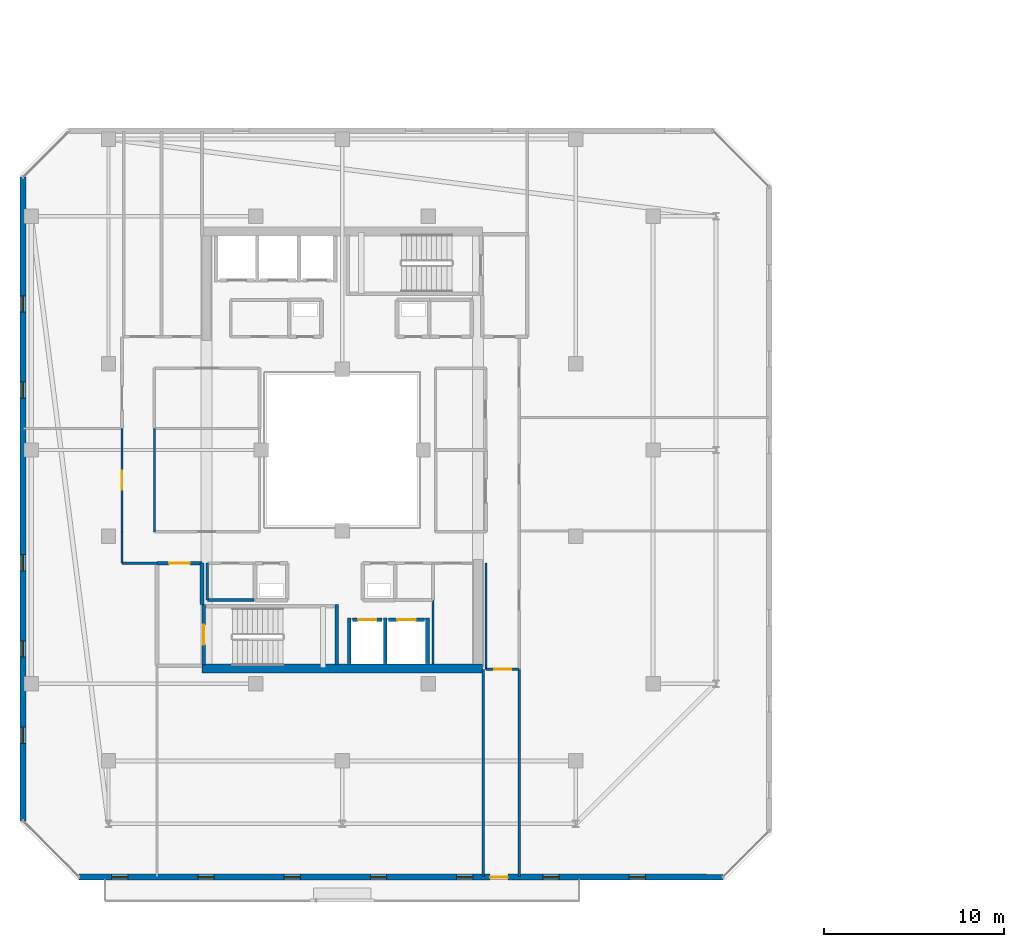
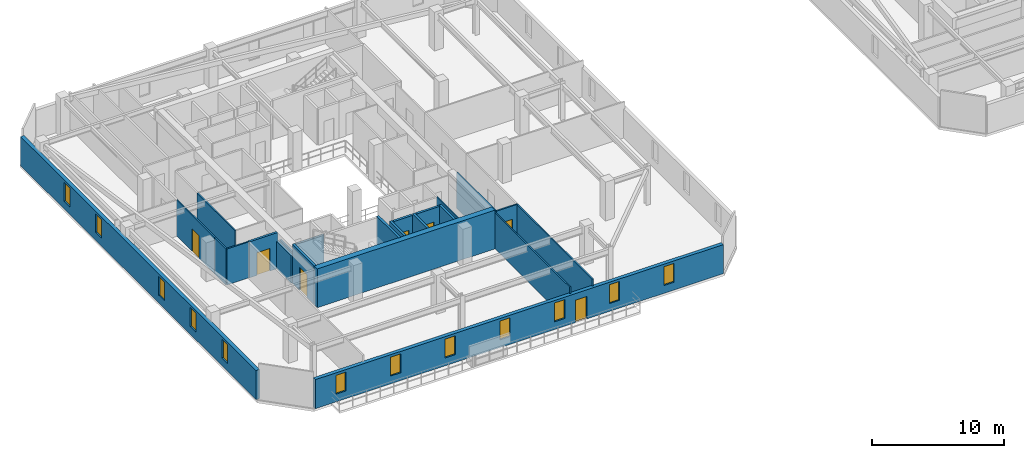
# One storey, part 21 of 35: 23 walls, 12 windows, 7 doors, 19 openings.
"""IFC4 building model written with IfcOpenShell, lengths in metres."""

from ifc_helpers import new_model, si_unit, direction, frame, frame_2d, origin, place, context, subcontext, project, spatial, rectangle, extrude, material, layer, layer_set, type_object, element, fill, save


model = new_model("IFC4")

# Units and contexts
model_context = context("Model", 3, precision=1e-05, world=origin(), true_north=direction((0.0, 1.0)))
body_context = subcontext(model_context, "Body", "Model", "MODEL_VIEW")
ifc_project = project(units=[si_unit("LENGTHUNIT", "METRE"), si_unit("AREAUNIT", "SQUARE_METRE"), si_unit("VOLUMEUNIT", "CUBIC_METRE"), si_unit("PLANEANGLEUNIT", "RADIAN"), si_unit("MASSUNIT", "GRAM", prefix="KILO")], contexts=[model_context])

# Site, building, storey
site_placement = place(None, origin())
site = spatial("IfcSite", under=ifc_project, at=site_placement, CompositionType="ELEMENT")
building_placement = place(site_placement, origin())
building = spatial("IfcBuilding", under=site, at=building_placement, Name="Thornwick Lancets Civic Towers", CompositionType="ELEMENT")
storey_placement = place(building_placement, frame((0.0, 0.0, 269.10009765625)))
storey = spatial("IfcBuildingStorey", under=building, at=storey_placement, Name="L72", CompositionType="ELEMENT", Elevation=269.10009765625)

# Wall, opening, door
ifc_material_1 = material(Name="Concrete blockwork C40/50", Category="masonry")
ifc_layer_1 = layer(ifc_material_1, 0.199951171875, Name="Concrete blockwork C40/50")
ifc_layer_set_1 = layer_set([ifc_layer_1], Name="Concrete blockwork C40/50")
wall_type_1 = type_object("IfcWallType", Name="WALL_COMP_200", PredefinedType="STANDARD", material=ifc_layer_set_1)
wall_1_placement = place(storey_placement, frame((26.080078125, 17.550048828125, 0.0), z_axis=(0.0, 0.0, 1.0), x_axis=(1.0, 0.0, 0.0)))
wall_1 = element("IfcWall", 1, at=wall_1_placement, inside=storey, type_object=wall_type_1, Name="L72 Hoistway Front Wall FL-A1", PredefinedType="STANDARD", context=body_context, shape_type="SweptSolid", body=[
    extrude(rectangle(XDim=1.639892578125, YDim=0.199951171875, at=frame_2d((0.81982421875, 0.0))), origin(), (0.0, 0.0, 1.0), 3.33984375),
])
opening_1_placement = place(wall_1_placement, frame((0.31005859375, 0.0, 0.0)))
opening_1 = element("IfcOpeningElement", 2, at=opening_1_placement, cuts=wall_1, Name="Opening LD-FL-A1", PredefinedType="OPENING", context=body_context, shape_type="SweptSolid", body=[
    extrude(rectangle(XDim=1.02001953125, YDim=2.06005859375, at=frame_2d((0.510009765625, 1.030029296875))), frame((0.0, 0.10986328125, 0.0), z_axis=(0.0, -1.0, 0.0), x_axis=(1.0, 0.0, 0.0)), (0.0, 0.0, 1.0), 0.219970703125),
])
ifc_material_2 = material(Name="Brushed bronze stainless steel", Category="steel")
door_type_1 = type_object("IfcDoorType", Name="DOOR_LIFT_SLIDE", OperationType="SLIDING_TO_LEFT", PredefinedType="DOOR", material=ifc_material_2)
door_1_placement = place(opening_1_placement, origin())
door_1 = element("IfcDoor", 3, at=door_1_placement, inside=storey, type_object=door_type_1, Name="L72 Sliding Lift Landing Door LD-FL-A1", OperationType="SLIDING_TO_LEFT", OverallHeight=2.06005859375, OverallWidth=1.02001953125, PredefinedType="DOOR", context=body_context, shape_type="SweptSolid", body=[
    extrude(rectangle(XDim=1.02001953125, YDim=2.06005859375, at=frame_2d((0.510009765625, 1.030029296875))), frame((0.0, 0.02490234375, 0.0), z_axis=(0.0, -1.0, 0.0), x_axis=(1.0, 0.0, 0.0)), (0.0, 0.0, 1.0), 0.050048828125),
])
fill(opening_1, door_1)

wall_2_placement = place(storey_placement, frame((28.080078125, 17.550048828125, 0.0), z_axis=(0.0, 0.0, 1.0), x_axis=(1.0, 0.0, 0.0)))
wall_2 = element("IfcWall", 4, at=wall_2_placement, inside=storey, type_object=wall_type_1, Name="L72 Hoistway Front Wall PL-AH1", PredefinedType="STANDARD", context=body_context, shape_type="SweptSolid", body=[
    extrude(rectangle(XDim=1.989990234375, YDim=0.199951171875, at=frame_2d((0.9951171875, 0.0))), origin(), (0.0, 0.0, 1.0), 3.33984375),
])
opening_2_placement = place(wall_2_placement, frame((0.485107421875, 0.0, 0.0)))
opening_2 = element("IfcOpeningElement", 5, at=opening_2_placement, cuts=wall_2, Name="Opening LD-PL-AH1", PredefinedType="OPENING", context=body_context, shape_type="SweptSolid", body=[
    extrude(rectangle(XDim=1.02001953125, YDim=2.06005859375, at=frame_2d((0.510009765625, 1.030029296875))), frame((0.0, 0.10986328125, 0.0), z_axis=(0.0, -1.0, 0.0), x_axis=(1.0, 0.0, 0.0)), (0.0, 0.0, 1.0), 0.219970703125),
])
door_2_placement = place(opening_2_placement, origin())
door_2 = element("IfcDoor", 6, at=door_2_placement, inside=storey, type_object=door_type_1, Name="L72 Sliding Lift Landing Door LD-PL-AH1", OperationType="SLIDING_TO_LEFT", OverallHeight=2.06005859375, OverallWidth=1.02001953125, PredefinedType="DOOR", context=body_context, shape_type="SweptSolid", body=[
    extrude(rectangle(XDim=1.02001953125, YDim=2.06005859375, at=frame_2d((0.510009765625, 1.030029296875))), frame((0.0, 0.02490234375, 0.0), z_axis=(0.0, -1.0, 0.0), x_axis=(1.0, 0.0, 0.0)), (0.0, 0.0, 1.0), 0.050048828125),
])
fill(opening_2, door_2)

# Walls
for number, where, z_axis, x_axis, name in (
    (7, (27.89990234375, 15.112060546875, 0.0), (0.0, 0.0, 1.0), (0.0, 1.0, 0.0), "L72 Hoistway Shaft Wall FL-A1 E"),
    (8, (25.89990234375, 15.112060546875, 0.0), (0.0, 0.0, 1.0), (0.0, 1.0, 0.0), "L72 Hoistway Shaft Wall FL-A1 W"),
    (9, (30.25, 15.112060546875, 0.0), (0.0, 0.0, 1.0), (0.0, 1.0, 0.0), "L72 Hoistway Shaft Wall PL-AH1 E"),
):
    element("IfcWall", number, at=place(storey_placement, frame(where, z_axis=z_axis, x_axis=x_axis)), inside=storey, type_object=wall_type_1, Name=name, PredefinedType="STANDARD", context=body_context, shape_type="SweptSolid", body=[
        extrude(rectangle(XDim=2.535888671875, YDim=0.199951171875, at=frame_2d((1.26806640625, 0.0))), origin(), (0.0, 0.0, 1.0), 3.33984375),
    ])
wall_3_placement = place(storey_placement, frame((17.699951171875, 18.39990234375, 0.0), z_axis=(0.0, 0.0, 1.0), x_axis=(0.0, 1.0, 0.0)))
element("IfcWall", 10, at=wall_3_placement, inside=storey, type_object=wall_type_1, Name="L72 Partition L72-A-FFLOB1 E2", PredefinedType="STANDARD", context=body_context, shape_type="SweptSolid", body=[
    extrude(rectangle(XDim=2.300048828125, YDim=0.199951171875, at=frame_2d((1.14990234375, 0.0))), origin(), (0.0, 0.0, 1.0), 2.544921875),
])

# Wall, opening, door
wall_4_placement = place(storey_placement, frame((17.699951171875, 20.699951171875, 0.0), z_axis=(0.0, 0.0, 1.0), x_axis=(-1.0, 0.0, 0.0)))
wall_4 = element("IfcWall", 11, at=wall_4_placement, inside=storey, type_object=wall_type_1, Name="L72 Partition L72-A-FFLOB1 E3", PredefinedType="STANDARD", context=body_context, shape_type="SweptSolid", body=[
    extrude(rectangle(XDim=2.5, YDim=0.199951171875, at=frame_2d((1.25, 0.0))), origin(), (0.0, 0.0, 1.0), 3.33984375),
])
opening_3_placement = place(wall_4_placement, frame((0.675048828125, 0.0, 0.0)))
opening_3 = element("IfcOpeningElement", 12, at=opening_3_placement, cuts=wall_4, Name="Opening D-L72-3277", PredefinedType="OPENING", context=body_context, shape_type="SweptSolid", body=[
    extrude(rectangle(XDim=1.14990234375, YDim=2.10009765625, at=frame_2d((0.574951171875, 1.050048828125))), frame((0.0, 0.10986328125, 0.0), z_axis=(0.0, -1.0, 0.0), x_axis=(1.0, 0.0, 0.0)), (0.0, 0.0, 1.0), 0.219970703125),
])
ifc_material_3 = material(Name="Glazed fire-resisting steel", Category="steel")
door_type_2 = type_object("IfcDoorType", Name="DOOR_LOBBY_FD60", OperationType="NOTDEFINED", PredefinedType="DOOR", material=ifc_material_3)
door_3_placement = place(opening_3_placement, origin())
door_3 = element("IfcDoor", 13, at=door_3_placement, inside=storey, type_object=door_type_2, Name="L72 South Firefighting Lobby 1 Door", OperationType="SINGLE_SWING_RIGHT", OverallHeight=2.10009765625, OverallWidth=1.14990234375, PredefinedType="DOOR", context=body_context, shape_type="SweptSolid", body=[
    extrude(rectangle(XDim=1.14990234375, YDim=2.10009765625, at=frame_2d((0.574951171875, 1.050048828125))), frame((0.0, 0.02490234375, 0.0), z_axis=(0.0, -1.0, 0.0), x_axis=(1.0, 0.0, 0.0)), (0.0, 0.0, 1.0), 0.050048828125),
])
fill(opening_3, door_3)

# Wall
ifc_material_4 = material(Name="Concrete C50/60", Category="concrete")
ifc_layer_2 = layer(ifc_material_4, 0.5, Name="Concrete C50/60")
ifc_layer_set_2 = layer_set([ifc_layer_2], Name="Concrete C50/60")
wall_type_2 = type_object("IfcWallType", Name="WALL_CORE_500", PredefinedType="SHEAR", material=ifc_layer_set_2)
wall_5_placement = place(storey_placement, frame((17.699951171875, 14.85009765625, 0.0), z_axis=(0.0, 0.0, 1.0), x_axis=(1.0, 0.0, 0.0)))
element("IfcWall", 14, at=wall_5_placement, inside=storey, type_object=wall_type_2, Name="L72 Split Core A1 Shear Wall S", PredefinedType="SHEAR", context=body_context, shape_type="SweptSolid", body=[
    extrude(rectangle(XDim=15.60009765625, YDim=0.5, at=frame_2d((7.800048828125, 0.0))), origin(), (0.0, 0.0, 1.0), 3.599853515625),
])

# Wall, openings, door, windows
ifc_material_5 = material(Name="Insulated buff terracotta rainscreen on concrete C40/50", Category="masonry")
ifc_layer_3 = layer(ifc_material_5, 0.320068359375, Name="Insulated buff terracotta rainscreen on concrete C40/50")
ifc_layer_set_3 = layer_set([ifc_layer_3], Name="Insulated buff terracotta rainscreen on concrete C40/50")
wall_type_3 = type_object("IfcWallType", Name="WALL_EXT_TERRA_320", PredefinedType="STANDARD", material=ifc_layer_set_3)
wall_6_placement = place(storey_placement, frame((10.87060546875, 3.2373046875, 0.0), z_axis=(0.0, 0.0, 1.0), x_axis=(0.999999998513, -5.4540124e-05, 0.0)))
wall_6 = element("IfcWall", 15, at=wall_6_placement, inside=storey, type_object=wall_type_3, Name="L72 Tower A Terracotta Facade Wall E0", PredefinedType="STANDARD", context=body_context, shape_type="SweptSolid", body=[
    extrude(rectangle(XDim=35.810791015625, YDim=0.320068359375, at=frame_2d((17.9052734375, 0.0))), origin(), (0.0, 0.0, 1.0), 2.699951171875),
])
opening_4_placement = place(wall_6_placement, frame((22.85546875, 0.0, 0.0)))
opening_4 = element("IfcOpeningElement", 16, at=opening_4_placement, cuts=wall_6, Name="Opening D-BL-L72-AS", PredefinedType="OPENING", context=body_context, shape_type="SweptSolid", body=[
    extrude(rectangle(XDim=1.0, YDim=2.080078125, at=frame_2d((0.5, 1.0400390625))), frame((0.0, 0.169921875, 0.0), z_axis=(0.0, -1.0, 0.0), x_axis=(1.0, 0.0, 0.0)), (0.0, 0.0, 1.0), 0.340087890625),
])
opening_5_placement = place(wall_6_placement, frame((1.800048828125, 0.0, 0.719970703125)))
opening_5 = element("IfcOpeningElement", 17, at=opening_5_placement, cuts=wall_6, Name="Opening WL-01", PredefinedType="OPENING", context=body_context, shape_type="SweptSolid", body=[
    extrude(rectangle(XDim=0.89990234375, YDim=1.75, at=frame_2d((0.449951171875, 0.875))), frame((0.0, 0.169921875, 0.0), z_axis=(0.0, -1.0, 0.0), x_axis=(1.0, 0.0, 0.0)), (0.0, 0.0, 1.0), 0.340087890625),
])
opening_6_placement = place(wall_6_placement, frame((6.60009765625, 0.0, 0.719970703125)))
opening_6 = element("IfcOpeningElement", 18, at=opening_6_placement, cuts=wall_6, Name="Opening WL-01", PredefinedType="OPENING", context=body_context, shape_type="SweptSolid", body=[
    extrude(rectangle(XDim=0.89990234375, YDim=1.75, at=frame_2d((0.449951171875, 0.875))), frame((0.0, 0.169921875, 0.0), z_axis=(0.0, -1.0, 0.0), x_axis=(1.0, 0.0, 0.0)), (0.0, 0.0, 1.0), 0.340087890625),
])
opening_7_placement = place(wall_6_placement, frame((11.39990234375, 0.0, 0.719970703125)))
opening_7 = element("IfcOpeningElement", 19, at=opening_7_placement, cuts=wall_6, Name="Opening WL-01", PredefinedType="OPENING", context=body_context, shape_type="SweptSolid", body=[
    extrude(rectangle(XDim=0.89990234375, YDim=1.75, at=frame_2d((0.449951171875, 0.875))), frame((0.0, 0.169921875, 0.0), z_axis=(0.0, -1.0, 0.0), x_axis=(1.0, 0.0, 0.0)), (0.0, 0.0, 1.0), 0.340087890625),
])
opening_8_placement = place(wall_6_placement, frame((16.199951171875, 0.0, 0.719970703125)))
opening_8 = element("IfcOpeningElement", 20, at=opening_8_placement, cuts=wall_6, Name="Opening WL-01", PredefinedType="OPENING", context=body_context, shape_type="SweptSolid", body=[
    extrude(rectangle(XDim=0.89990234375, YDim=1.75, at=frame_2d((0.449951171875, 0.875))), frame((0.0, 0.169921875, 0.0), z_axis=(0.0, -1.0, 0.0), x_axis=(1.0, 0.0, 0.0)), (0.0, 0.0, 1.0), 0.340087890625),
])
opening_9_placement = place(wall_6_placement, frame((21.0, 0.0, 0.719970703125)))
opening_9 = element("IfcOpeningElement", 21, at=opening_9_placement, cuts=wall_6, Name="Opening WL-01", PredefinedType="OPENING", context=body_context, shape_type="SweptSolid", body=[
    extrude(rectangle(XDim=0.89990234375, YDim=1.75, at=frame_2d((0.449951171875, 0.875))), frame((0.0, 0.169921875, 0.0), z_axis=(0.0, -1.0, 0.0), x_axis=(1.0, 0.0, 0.0)), (0.0, 0.0, 1.0), 0.340087890625),
])
opening_10_placement = place(wall_6_placement, frame((25.800048828125, 0.0, 0.719970703125)))
opening_10 = element("IfcOpeningElement", 22, at=opening_10_placement, cuts=wall_6, Name="Opening WL-01", PredefinedType="OPENING", context=body_context, shape_type="SweptSolid", body=[
    extrude(rectangle(XDim=0.89990234375, YDim=1.75, at=frame_2d((0.449951171875, 0.875))), frame((0.0, 0.169921875, 0.0), z_axis=(0.0, -1.0, 0.0), x_axis=(1.0, 0.0, 0.0)), (0.0, 0.0, 1.0), 0.340087890625),
])
opening_11_placement = place(wall_6_placement, frame((30.60009765625, 0.0, 0.719970703125)))
opening_11 = element("IfcOpeningElement", 23, at=opening_11_placement, cuts=wall_6, Name="Opening WL-01", PredefinedType="OPENING", context=body_context, shape_type="SweptSolid", body=[
    extrude(rectangle(XDim=0.89990234375, YDim=1.75, at=frame_2d((0.449951171875, 0.875))), frame((0.0, 0.169921875, 0.0), z_axis=(0.0, -1.0, 0.0), x_axis=(1.0, 0.0, 0.0)), (0.0, 0.0, 1.0), 0.340087890625),
])
ifc_material_6 = material(Name="Thermally broken glazed loggia doorset")
door_type_3 = type_object("IfcDoorType", Name="DOOR_BALC_1000", OperationType="NOTDEFINED", PredefinedType="DOOR", material=ifc_material_6)
door_4_placement = place(opening_4_placement, origin())
door_4 = element("IfcDoor", 24, at=door_4_placement, inside=storey, type_object=door_type_3, Name="L72 Tower A Loggia Balcony Door S", OperationType="SINGLE_SWING_LEFT", OverallHeight=2.080078125, OverallWidth=1.0, PredefinedType="DOOR", context=body_context, shape_type="SweptSolid", body=[
    extrude(rectangle(XDim=1.0, YDim=2.080078125, at=frame_2d((0.5, 1.0400390625))), frame((0.0, 0.02490234375, 0.0), z_axis=(0.0, -1.0, 0.0), x_axis=(1.0, 0.0, 0.0)), (0.0, 0.0, 1.0), 0.050048828125),
])
fill(opening_4, door_4)
ifc_material_7 = material(Name="Clear low-e double glazing in bronze frame", Category="glass")
window_type = type_object("IfcWindowType", Name="WIN_LANCET_900", PartitioningType="SINGLE_PANEL", PredefinedType="WINDOW", material=ifc_material_7)
window_1_placement = place(opening_5_placement, origin())
window_1 = element("IfcWindow", 25, at=window_1_placement, inside=storey, type_object=window_type, Name="L72 Tower A Staggered Lancet Window E0-1", OverallHeight=1.75, OverallWidth=0.89990234375, PartitioningType="SINGLE_PANEL", PredefinedType="WINDOW", context=body_context, shape_type="SweptSolid", body=[
    extrude(rectangle(XDim=0.89990234375, YDim=1.75, at=frame_2d((0.449951171875, 0.875))), frame((0.0, 0.030029296875, 0.0), z_axis=(0.0, -1.0, 0.0), x_axis=(1.0, 0.0, 0.0)), (0.0, 0.0, 1.0), 0.06005859375),
])
fill(opening_5, window_1)
window_2_placement = place(opening_6_placement, origin())
window_2 = element("IfcWindow", 26, at=window_2_placement, inside=storey, type_object=window_type, Name="L72 Tower A Staggered Lancet Window E0-2", OverallHeight=1.75, OverallWidth=0.89990234375, PartitioningType="SINGLE_PANEL", PredefinedType="WINDOW", context=body_context, shape_type="SweptSolid", body=[
    extrude(rectangle(XDim=0.89990234375, YDim=1.75, at=frame_2d((0.449951171875, 0.875))), frame((0.0, 0.030029296875, 0.0), z_axis=(0.0, -1.0, 0.0), x_axis=(1.0, 0.0, 0.0)), (0.0, 0.0, 1.0), 0.06005859375),
])
fill(opening_6, window_2)
window_3_placement = place(opening_7_placement, origin())
window_3 = element("IfcWindow", 27, at=window_3_placement, inside=storey, type_object=window_type, Name="L72 Tower A Staggered Lancet Window E0-3", OverallHeight=1.75, OverallWidth=0.89990234375, PartitioningType="SINGLE_PANEL", PredefinedType="WINDOW", context=body_context, shape_type="SweptSolid", body=[
    extrude(rectangle(XDim=0.89990234375, YDim=1.75, at=frame_2d((0.449951171875, 0.875))), frame((0.0, 0.030029296875, 0.0), z_axis=(0.0, -1.0, 0.0), x_axis=(1.0, 0.0, 0.0)), (0.0, 0.0, 1.0), 0.06005859375),
])
fill(opening_7, window_3)
window_4_placement = place(opening_8_placement, origin())
window_4 = element("IfcWindow", 28, at=window_4_placement, inside=storey, type_object=window_type, Name="L72 Tower A Staggered Lancet Window E0-4", OverallHeight=1.75, OverallWidth=0.89990234375, PartitioningType="SINGLE_PANEL", PredefinedType="WINDOW", context=body_context, shape_type="SweptSolid", body=[
    extrude(rectangle(XDim=0.89990234375, YDim=1.75, at=frame_2d((0.449951171875, 0.875))), frame((0.0, 0.030029296875, 0.0), z_axis=(0.0, -1.0, 0.0), x_axis=(1.0, 0.0, 0.0)), (0.0, 0.0, 1.0), 0.06005859375),
])
fill(opening_8, window_4)
window_5_placement = place(opening_9_placement, origin())
window_5 = element("IfcWindow", 29, at=window_5_placement, inside=storey, type_object=window_type, Name="L72 Tower A Staggered Lancet Window E0-5", OverallHeight=1.75, OverallWidth=0.89990234375, PartitioningType="SINGLE_PANEL", PredefinedType="WINDOW", context=body_context, shape_type="SweptSolid", body=[
    extrude(rectangle(XDim=0.89990234375, YDim=1.75, at=frame_2d((0.449951171875, 0.875))), frame((0.0, 0.030029296875, 0.0), z_axis=(0.0, -1.0, 0.0), x_axis=(1.0, 0.0, 0.0)), (0.0, 0.0, 1.0), 0.06005859375),
])
fill(opening_9, window_5)
window_6_placement = place(opening_10_placement, origin())
window_6 = element("IfcWindow", 30, at=window_6_placement, inside=storey, type_object=window_type, Name="L72 Tower A Staggered Lancet Window E0-6", OverallHeight=1.75, OverallWidth=0.89990234375, PartitioningType="SINGLE_PANEL", PredefinedType="WINDOW", context=body_context, shape_type="SweptSolid", body=[
    extrude(rectangle(XDim=0.89990234375, YDim=1.75, at=frame_2d((0.449951171875, 0.875))), frame((0.0, 0.030029296875, 0.0), z_axis=(0.0, -1.0, 0.0), x_axis=(1.0, 0.0, 0.0)), (0.0, 0.0, 1.0), 0.06005859375),
])
fill(opening_10, window_6)
window_7_placement = place(opening_11_placement, origin())
window_7 = element("IfcWindow", 31, at=window_7_placement, inside=storey, type_object=window_type, Name="L72 Tower A Staggered Lancet Window E0-7", OverallHeight=1.75, OverallWidth=0.89990234375, PartitioningType="SINGLE_PANEL", PredefinedType="WINDOW", context=body_context, shape_type="SweptSolid", body=[
    extrude(rectangle(XDim=0.89990234375, YDim=1.75, at=frame_2d((0.449951171875, 0.875))), frame((0.0, 0.030029296875, 0.0), z_axis=(0.0, -1.0, 0.0), x_axis=(1.0, 0.0, 0.0)), (0.0, 0.0, 1.0), 0.06005859375),
])
fill(opening_11, window_7)

# Wall, openings, windows
wall_7_placement = place(storey_placement, frame((7.7353515625, 42.181396484375, 0.0), z_axis=(0.0, 0.0, 1.0), x_axis=(5.4540124e-05, -0.999999998513, 0.0)))
wall_7 = element("IfcWall", 32, at=wall_7_placement, inside=storey, type_object=wall_type_3, Name="L72 Tower A Terracotta Facade Wall E6", PredefinedType="STANDARD", context=body_context, shape_type="SweptSolid", body=[
    extrude(rectangle(XDim=35.810791015625, YDim=0.320068359375, at=frame_2d((17.9052734375, 0.0))), origin(), (0.0, 0.0, 1.0), 2.699951171875),
])
opening_12_placement = place(wall_7_placement, frame((6.60009765625, 0.0, 0.719970703125)))
opening_12 = element("IfcOpeningElement", 33, at=opening_12_placement, cuts=wall_7, Name="Opening WL-01", PredefinedType="OPENING", context=body_context, shape_type="SweptSolid", body=[
    extrude(rectangle(XDim=0.89990234375, YDim=1.75, at=frame_2d((0.449951171875, 0.875))), frame((0.0, 0.169921875, 0.0), z_axis=(0.0, -1.0, 0.0), x_axis=(1.0, 0.0, 0.0)), (0.0, 0.0, 1.0), 0.340087890625),
])
opening_13_placement = place(wall_7_placement, frame((11.39990234375, 0.0, 0.719970703125)))
opening_13 = element("IfcOpeningElement", 34, at=opening_13_placement, cuts=wall_7, Name="Opening WL-01", PredefinedType="OPENING", context=body_context, shape_type="SweptSolid", body=[
    extrude(rectangle(XDim=0.89990234375, YDim=1.75, at=frame_2d((0.449951171875, 0.875))), frame((0.0, 0.169921875, 0.0), z_axis=(0.0, -1.0, 0.0), x_axis=(1.0, 0.0, 0.0)), (0.0, 0.0, 1.0), 0.340087890625),
])
opening_14_placement = place(wall_7_placement, frame((21.0, 0.0, 0.719970703125)))
opening_14 = element("IfcOpeningElement", 35, at=opening_14_placement, cuts=wall_7, Name="Opening WL-01", PredefinedType="OPENING", context=body_context, shape_type="SweptSolid", body=[
    extrude(rectangle(XDim=0.89990234375, YDim=1.75, at=frame_2d((0.449951171875, 0.875))), frame((0.0, 0.169921875, 0.0), z_axis=(0.0, -1.0, 0.0), x_axis=(1.0, 0.0, 0.0)), (0.0, 0.0, 1.0), 0.340087890625),
])
opening_15_placement = place(wall_7_placement, frame((25.800048828125, 0.0, 0.719970703125)))
opening_15 = element("IfcOpeningElement", 36, at=opening_15_placement, cuts=wall_7, Name="Opening WL-01", PredefinedType="OPENING", context=body_context, shape_type="SweptSolid", body=[
    extrude(rectangle(XDim=0.89990234375, YDim=1.75, at=frame_2d((0.449951171875, 0.875))), frame((0.0, 0.169921875, 0.0), z_axis=(0.0, -1.0, 0.0), x_axis=(1.0, 0.0, 0.0)), (0.0, 0.0, 1.0), 0.340087890625),
])
opening_16_placement = place(wall_7_placement, frame((30.60009765625, 0.0, 0.719970703125)))
opening_16 = element("IfcOpeningElement", 37, at=opening_16_placement, cuts=wall_7, Name="Opening WL-01", PredefinedType="OPENING", context=body_context, shape_type="SweptSolid", body=[
    extrude(rectangle(XDim=0.89990234375, YDim=1.75, at=frame_2d((0.449951171875, 0.875))), frame((0.0, 0.169921875, 0.0), z_axis=(0.0, -1.0, 0.0), x_axis=(1.0, 0.0, 0.0)), (0.0, 0.0, 1.0), 0.340087890625),
])
window_8_placement = place(opening_12_placement, origin())
window_8 = element("IfcWindow", 38, at=window_8_placement, inside=storey, type_object=window_type, Name="L72 Tower A Staggered Lancet Window E6-1", OverallHeight=1.75, OverallWidth=0.89990234375, PartitioningType="SINGLE_PANEL", PredefinedType="WINDOW", context=body_context, shape_type="SweptSolid", body=[
    extrude(rectangle(XDim=0.89990234375, YDim=1.75, at=frame_2d((0.449951171875, 0.875))), frame((0.0, 0.030029296875, 0.0), z_axis=(0.0, -1.0, 0.0), x_axis=(1.0, 0.0, 0.0)), (0.0, 0.0, 1.0), 0.06005859375),
])
fill(opening_12, window_8)
window_9_placement = place(opening_13_placement, origin())
window_9 = element("IfcWindow", 39, at=window_9_placement, inside=storey, type_object=window_type, Name="L72 Tower A Staggered Lancet Window E6-2", OverallHeight=1.75, OverallWidth=0.89990234375, PartitioningType="SINGLE_PANEL", PredefinedType="WINDOW", context=body_context, shape_type="SweptSolid", body=[
    extrude(rectangle(XDim=0.89990234375, YDim=1.75, at=frame_2d((0.449951171875, 0.875))), frame((0.0, 0.030029296875, 0.0), z_axis=(0.0, -1.0, 0.0), x_axis=(1.0, 0.0, 0.0)), (0.0, 0.0, 1.0), 0.06005859375),
])
fill(opening_13, window_9)
window_10_placement = place(opening_14_placement, origin())
window_10 = element("IfcWindow", 40, at=window_10_placement, inside=storey, type_object=window_type, Name="L72 Tower A Staggered Lancet Window E6-3", OverallHeight=1.75, OverallWidth=0.89990234375, PartitioningType="SINGLE_PANEL", PredefinedType="WINDOW", context=body_context, shape_type="SweptSolid", body=[
    extrude(rectangle(XDim=0.89990234375, YDim=1.75, at=frame_2d((0.449951171875, 0.875))), frame((0.0, 0.030029296875, 0.0), z_axis=(0.0, -1.0, 0.0), x_axis=(1.0, 0.0, 0.0)), (0.0, 0.0, 1.0), 0.06005859375),
])
fill(opening_14, window_10)
window_11_placement = place(opening_15_placement, origin())
window_11 = element("IfcWindow", 41, at=window_11_placement, inside=storey, type_object=window_type, Name="L72 Tower A Staggered Lancet Window E6-4", OverallHeight=1.75, OverallWidth=0.89990234375, PartitioningType="SINGLE_PANEL", PredefinedType="WINDOW", context=body_context, shape_type="SweptSolid", body=[
    extrude(rectangle(XDim=0.89990234375, YDim=1.75, at=frame_2d((0.449951171875, 0.875))), frame((0.0, 0.030029296875, 0.0), z_axis=(0.0, -1.0, 0.0), x_axis=(1.0, 0.0, 0.0)), (0.0, 0.0, 1.0), 0.06005859375),
])
fill(opening_15, window_11)
window_12_placement = place(opening_16_placement, origin())
window_12 = element("IfcWindow", 42, at=window_12_placement, inside=storey, type_object=window_type, Name="L72 Tower A Staggered Lancet Window E6-5", OverallHeight=1.75, OverallWidth=0.89990234375, PartitioningType="SINGLE_PANEL", PredefinedType="WINDOW", context=body_context, shape_type="SweptSolid", body=[
    extrude(rectangle(XDim=0.89990234375, YDim=1.75, at=frame_2d((0.449951171875, 0.875))), frame((0.0, 0.030029296875, 0.0), z_axis=(0.0, -1.0, 0.0), x_axis=(1.0, 0.0, 0.0)), (0.0, 0.0, 1.0), 0.06005859375),
])
fill(opening_16, window_12)

# Walls
ifc_material_8 = material(Name="Lightweight cellular office partition")
ifc_layer_4 = layer(ifc_material_8, 0.10009765625, Name="Lightweight cellular office partition")
ifc_layer_set_4 = layer_set([ifc_layer_4], Name="Lightweight cellular office partition")
wall_type_4 = type_object("IfcWallType", Name="WALL_PART_100", PredefinedType="PARTITIONING", material=ifc_layer_set_4)
wall_8_placement = place(storey_placement, frame((30.550048828125, 15.10009765625, 0.0), z_axis=(0.0, 0.0, 1.0), x_axis=(0.0, 1.0, 0.0)))
element("IfcWall", 43, at=wall_8_placement, inside=storey, type_object=wall_type_4, Name="L72 Partition L72-A-CLN E3", PredefinedType="PARTITIONING", context=body_context, shape_type="SweptSolid", body=[
    extrude(rectangle(XDim=3.5498046875, YDim=0.10009765625, at=frame_2d((1.77490234375, 0.0))), origin(), (0.0, 0.0, 1.0), 3.33984375),
])
ifc_material_9 = material(Name="Acoustic gypsum board partition")
ifc_layer_5 = layer(ifc_material_9, 0.1201171875, Name="Acoustic gypsum board partition")
ifc_layer_set_5 = layer_set([ifc_layer_5], Name="Acoustic gypsum board partition")
wall_type_5 = type_object("IfcWallType", Name="WALL_PART_120", PredefinedType="PARTITIONING", material=ifc_layer_set_5)
wall_9_placement = place(storey_placement, frame((33.5, 20.699951171875, 0.0), z_axis=(0.0, 0.0, 1.0), x_axis=(0.0, -1.0, 0.0)))
element("IfcWall", 44, at=wall_9_placement, inside=storey, type_object=wall_type_5, Name="L72 Partition L72-A-RECLAIM-L E1", PredefinedType="PARTITIONING", context=body_context, shape_type="SweptSolid", body=[
    extrude(rectangle(XDim=5.89990234375, YDim=0.1201171875, at=frame_2d((2.949951171875, 0.0))), origin(), (0.0, 0.0, 1.0), 3.33984375),
])

# Wall, opening, door
wall_10_placement = place(storey_placement, frame((33.5, 14.800048828125, 0.0), z_axis=(0.0, 0.0, 1.0), x_axis=(1.0, 0.0, 0.0)))
wall_10 = element("IfcWall", 45, at=wall_10_placement, inside=storey, type_object=wall_type_5, Name="L72 Partition L72-A-RECLAIM-L E2", PredefinedType="PARTITIONING", context=body_context, shape_type="SweptSolid", body=[
    extrude(rectangle(XDim=1.85009765625, YDim=0.1201171875, at=frame_2d((0.925048828125, 0.0))), origin(), (0.0, 0.0, 1.0), 3.33984375),
])
opening_17_placement = place(wall_10_placement, frame((0.449951171875, 0.0, 0.0)))
opening_17 = element("IfcOpeningElement", 46, at=opening_17_placement, cuts=wall_10, Name="Opening D-L72-3299", PredefinedType="OPENING", context=body_context, shape_type="SweptSolid", body=[
    extrude(rectangle(XDim=0.949951171875, YDim=2.10009765625, at=frame_2d((0.47509765625, 1.050048828125))), frame((0.0, 0.070068359375, 0.0), z_axis=(0.0, -1.0, 0.0), x_axis=(1.0, 0.0, 0.0)), (0.0, 0.0, 1.0), 0.14013671875),
])
ifc_material_10 = material(Name="European oak acoustic doorset")
door_type_4 = type_object("IfcDoorType", Name="DOOR_OFFICE_950", OperationType="NOTDEFINED", PredefinedType="DOOR", material=ifc_material_10)
door_5_placement = place(opening_17_placement, origin())
door_5 = element("IfcDoor", 47, at=door_5_placement, inside=storey, type_object=door_type_4, Name="L72 Tower A Parliamentary Drafting Library Door", OperationType="SINGLE_SWING_RIGHT", OverallHeight=2.10009765625, OverallWidth=0.949951171875, PredefinedType="DOOR", context=body_context, shape_type="SweptSolid", body=[
    extrude(rectangle(XDim=0.949951171875, YDim=2.10009765625, at=frame_2d((0.47509765625, 1.050048828125))), frame((0.0, 0.02490234375, 0.0), z_axis=(0.0, -1.0, 0.0), x_axis=(1.0, 0.0, 0.0)), (0.0, 0.0, 1.0), 0.050048828125),
])
fill(opening_17, door_5)

# Walls
for number, where, z_axis, x_axis, name in (
    (48, (35.35009765625, 14.800048828125, 0.0), (0.0, 0.0, 1.0), (0.0, -1.0, 0.0), "L72 Partition L72-A-RECLAIM-L E3"),
    (49, (33.35009765625, 3.280029296875, 0.0), (0.0, 0.0, 1.0), (0.0, 1.0, 0.0), "L72 Partition L72-A-RECLAIM-L E5"),
):
    element("IfcWall", number, at=place(storey_placement, frame(where, z_axis=z_axis, x_axis=x_axis)), inside=storey, type_object=wall_type_5, Name=name, PredefinedType="PARTITIONING", context=body_context, shape_type="SweptSolid", body=[
        extrude(rectangle(XDim=11.52001953125, YDim=0.1201171875, at=frame_2d((5.760009765625, 0.0))), origin(), (0.0, 0.0, 1.0), 3.33984375),
    ])

# Wall, opening, door
wall_11_placement = place(storey_placement, frame((13.25, 28.199951171875, 0.0), z_axis=(0.0, 0.0, 1.0), x_axis=(0.0, -1.0, 0.0)))
wall_11 = element("IfcWall", 50, at=wall_11_placement, inside=storey, type_object=wall_type_5, Name="L72 Partition L72-A-W1 E1", PredefinedType="PARTITIONING", context=body_context, shape_type="SweptSolid", body=[
    extrude(rectangle(XDim=5.75, YDim=0.1201171875, at=frame_2d((2.875, 0.0))), origin(), (0.0, 0.0, 1.0), 3.33984375),
])
opening_18_placement = place(wall_11_placement, frame((2.35009765625, 0.0, 0.0)))
opening_18 = element("IfcOpeningElement", 51, at=opening_18_placement, cuts=wall_11, Name="Opening D-L72-3302", PredefinedType="OPENING", context=body_context, shape_type="SweptSolid", body=[
    extrude(rectangle(XDim=1.050048828125, YDim=2.10009765625, at=frame_2d((0.52490234375, 1.050048828125))), frame((0.0, 0.070068359375, 0.0), z_axis=(0.0, -1.0, 0.0), x_axis=(1.0, 0.0, 0.0)), (0.0, 0.0, 1.0), 0.14013671875),
])
ifc_material_11 = material(Name="Glazed European oak executive doorset")
door_type_5 = type_object("IfcDoorType", Name="DOOR_OFFICE_1050", OperationType="NOTDEFINED", PredefinedType="DOOR", material=ifc_material_11)
door_6_placement = place(opening_18_placement, origin())
door_6 = element("IfcDoor", 52, at=door_6_placement, inside=storey, type_object=door_type_5, Name="L72 Tower A Ministry Directorate Office W1 Door", OperationType="SINGLE_SWING_LEFT", OverallHeight=2.10009765625, OverallWidth=1.050048828125, PredefinedType="DOOR", context=body_context, shape_type="SweptSolid", body=[
    extrude(rectangle(XDim=1.050048828125, YDim=2.10009765625, at=frame_2d((0.52490234375, 1.050048828125))), frame((0.0, 0.02490234375, 0.0), z_axis=(0.0, -1.0, 0.0), x_axis=(1.0, 0.0, 0.0)), (0.0, 0.0, 1.0), 0.050048828125),
])
fill(opening_18, door_6)

# Walls
wall_12_placement = place(storey_placement, frame((13.25, 22.449951171875, 0.0), z_axis=(0.0, 0.0, 1.0), x_axis=(0.0, -1.0, 0.0)))
element("IfcWall", 53, at=wall_12_placement, inside=storey, type_object=wall_type_5, Name="L72 Partition L72-A-W1 E2", PredefinedType="PARTITIONING", context=body_context, shape_type="SweptSolid", body=[
    extrude(rectangle(XDim=1.75, YDim=0.1201171875, at=frame_2d((0.875, 0.0))), origin(), (0.0, 0.0, 1.0), 3.33984375),
])
wall_13_placement = place(storey_placement, frame((13.25, 20.699951171875, 0.0), z_axis=(0.0, 0.0, 1.0), x_axis=(1.0, 0.0, 0.0)))
element("IfcWall", 54, at=wall_13_placement, inside=storey, type_object=wall_type_5, Name="L72 Partition L72-A-W1 E3", PredefinedType="PARTITIONING", context=body_context, shape_type="SweptSolid", body=[
    extrude(rectangle(XDim=1.949951171875, YDim=0.1201171875, at=frame_2d((0.97509765625, 0.0))), origin(), (0.0, 0.0, 1.0), 3.33984375),
])
wall_14_placement = place(storey_placement, frame((15.050048828125, 22.449951171875, 0.0), z_axis=(0.0, 0.0, 1.0), x_axis=(0.0, 1.0, 0.0)))
element("IfcWall", 55, at=wall_14_placement, inside=storey, type_object=wall_type_5, Name="L72 Partition L72-A-W3 E1", PredefinedType="PARTITIONING", context=body_context, shape_type="SweptSolid", body=[
    extrude(rectangle(XDim=5.75, YDim=0.1201171875, at=frame_2d((2.875, 0.0))), origin(), (0.0, 0.0, 1.0), 3.33984375),
])
ifc_material_12 = material(Name="Twin-stud acoustic gypsum board")
ifc_layer_6 = layer(ifc_material_12, 0.14990234375, Name="Twin-stud acoustic gypsum board")
ifc_layer_set_6 = layer_set([ifc_layer_6], Name="Twin-stud acoustic gypsum board")
wall_type_6 = type_object("IfcWallType", Name="WALL_PART_150", PredefinedType="PARTITIONING", material=ifc_layer_set_6)
wall_15_placement = place(storey_placement, frame((18.0, 18.64990234375, 0.0), z_axis=(0.0, 0.0, 1.0), x_axis=(1.0, 0.0, 0.0)))
element("IfcWall", 56, at=wall_15_placement, inside=storey, type_object=wall_type_6, Name="L72 Partition L72-A-AWC E1", PredefinedType="PARTITIONING", context=body_context, shape_type="SweptSolid", body=[
    extrude(rectangle(XDim=2.60009765625, YDim=0.14990234375, at=frame_2d((1.300048828125, 0.0))), origin(), (0.0, 0.0, 1.0), 3.33984375),
])
wall_16_placement = place(storey_placement, frame((18.0, 20.699951171875, 0.0), z_axis=(0.0, 0.0, 1.0), x_axis=(0.0, -1.0, 0.0)))
element("IfcWall", 57, at=wall_16_placement, inside=storey, type_object=wall_type_6, Name="L72 Partition L72-A-AWC E4", PredefinedType="PARTITIONING", context=body_context, shape_type="SweptSolid", body=[
    extrude(rectangle(XDim=2.050048828125, YDim=0.14990234375, at=frame_2d((1.02490234375, 0.0))), origin(), (0.0, 0.0, 1.0), 2.544921875),
])

# Wall, opening, door
ifc_material_13 = material(Name="Concrete C40/50", Category="concrete")
ifc_layer_7 = layer(ifc_material_13, 0.199951171875, Name="Concrete C40/50")
ifc_layer_set_7 = layer_set([ifc_layer_7], Name="Concrete C40/50")
wall_type_7 = type_object("IfcWallType", Name="WALL_SHAFT_200", PredefinedType="SHEAR", material=ifc_layer_set_7)
wall_17_placement = place(storey_placement, frame((17.800048828125, 15.050048828125, 0.0), z_axis=(0.0, 0.0, 1.0), x_axis=(0.0, 1.0, 0.0)))
wall_17 = element("IfcWall", 58, at=wall_17_placement, inside=storey, type_object=wall_type_7, Name="L72 ST-A1 Fire Stair Core Wall NEAR", PredefinedType="SHEAR", context=body_context, shape_type="SweptSolid", body=[
    extrude(rectangle(XDim=3.349853515625, YDim=0.199951171875, at=frame_2d((1.6748046875, 0.0))), origin(), (0.0, 0.0, 1.0), 3.599853515625),
])
opening_19_placement = place(wall_17_placement, frame((1.125, 0.0, 0.0)))
opening_19 = element("IfcOpeningElement", 59, at=opening_19_placement, cuts=wall_17, Name="Opening D-ST-A1-L72", PredefinedType="OPENING", context=body_context, shape_type="SweptSolid", body=[
    extrude(rectangle(XDim=1.10009765625, YDim=2.10009765625, at=frame_2d((0.550048828125, 1.050048828125))), frame((0.0, 0.10986328125, 0.0), z_axis=(0.0, -1.0, 0.0), x_axis=(1.0, 0.0, 0.0)), (0.0, 0.0, 1.0), 0.219970703125),
])
ifc_material_14 = material(Name="Fire-resisting steel and hardwood", Category="steel")
door_type_6 = type_object("IfcDoorType", Name="DOOR_STAIR_FD60", OperationType="NOTDEFINED", PredefinedType="DOOR", material=ifc_material_14)
door_7_placement = place(opening_19_placement, origin())
door_7 = element("IfcDoor", 60, at=door_7_placement, inside=storey, type_object=door_type_6, Name="L72 ST-A1 Exit Stair Door", OperationType="SINGLE_SWING_RIGHT", OverallHeight=2.10009765625, OverallWidth=1.10009765625, PredefinedType="DOOR", context=body_context, shape_type="SweptSolid", body=[
    extrude(rectangle(XDim=1.10009765625, YDim=2.10009765625, at=frame_2d((0.550048828125, 1.050048828125))), frame((0.0, 0.02490234375, 0.0), z_axis=(0.0, -1.0, 0.0), x_axis=(1.0, 0.0, 0.0)), (0.0, 0.0, 1.0), 0.050048828125),
])
fill(opening_19, door_7)

# Wall
wall_18_placement = place(storey_placement, frame((25.199951171875, 18.39990234375, 0.0), z_axis=(0.0, 0.0, 1.0), x_axis=(0.0, -1.0, 0.0)))
element("IfcWall", 61, at=wall_18_placement, inside=storey, type_object=wall_type_7, Name="L72 ST-A1 Fire Stair Core Wall FAR", PredefinedType="SHEAR", context=body_context, shape_type="SweptSolid", body=[
    extrude(rectangle(XDim=3.349853515625, YDim=0.199951171875, at=frame_2d((1.6748046875, 0.0))), origin(), (0.0, 0.0, 1.0), 3.599853515625),
])

save(model, "model.ifc")
